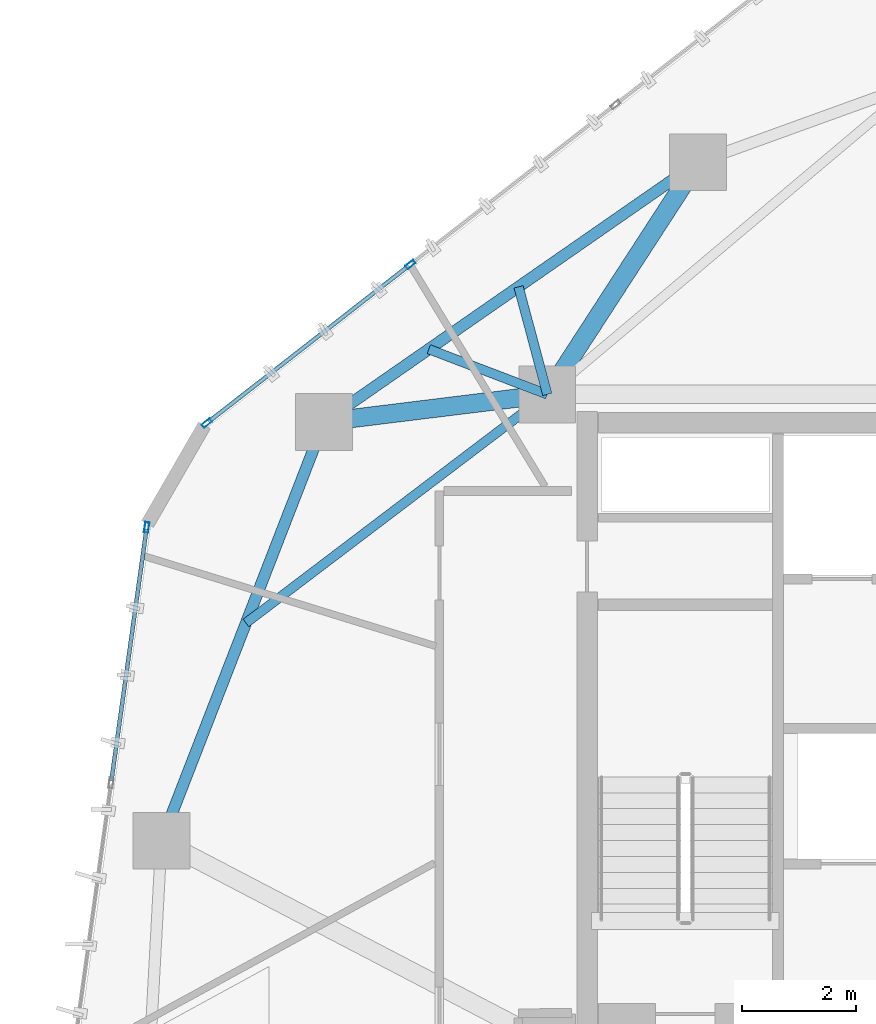
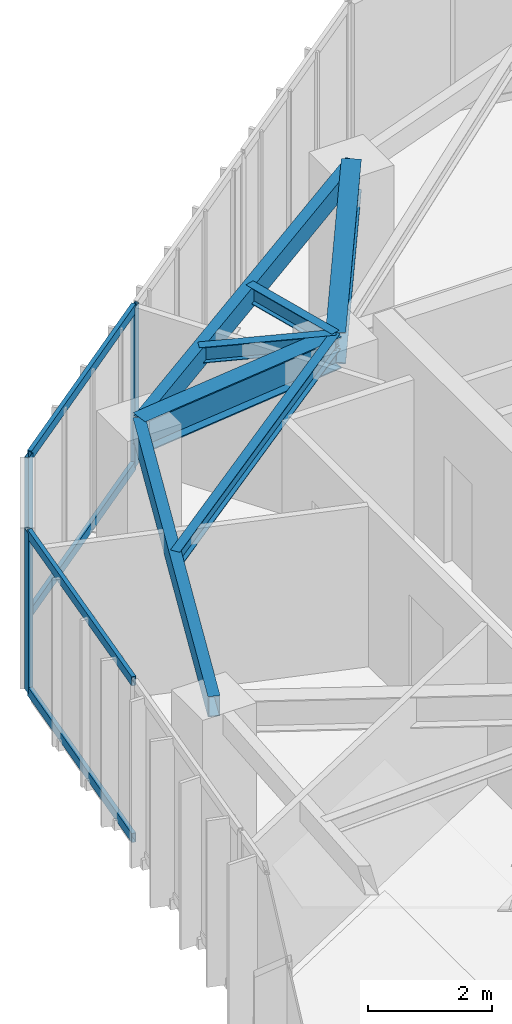
# One storey, part 9 of 21: 7 beams, 7 members, 2 elements without a shape of their own.
"""IFC4 building model written with IfcOpenShell, lengths in metres."""

from ifc_helpers import new_model, si_unit, direction, frame, origin, origin_2d, place, context, subcontext, project, spatial, hollow_rectangle, i_section, extrude, source, transform, mapped, material, layer, layer_set, material_profile, profile_set, type_object, type_shapes, element, aggregate, save


model = new_model("IFC4")

# Units and contexts
model_context = context("Model", 3, precision=1e-05, world=origin(), true_north=direction((0.0, 1.0)))
body_context = subcontext(model_context, "Body", "Model", "MODEL_VIEW")
ifc_project = project(units=[si_unit("LENGTHUNIT", "METRE"), si_unit("AREAUNIT", "SQUARE_METRE"), si_unit("VOLUMEUNIT", "CUBIC_METRE"), si_unit("PLANEANGLEUNIT", "RADIAN"), si_unit("MASSUNIT", "GRAM", prefix="KILO")], contexts=[model_context])

# Site, building, storey
site_placement = place(None, origin())
site = spatial("IfcSite", under=ifc_project, at=site_placement, CompositionType="ELEMENT")
building_placement = place(site_placement, origin())
building = spatial("IfcBuilding", under=site, at=building_placement, Name="Talar Marvaseh", CompositionType="ELEMENT")
storey_placement = place(building_placement, frame((0.0, 0.0, 232.699951171875)))
storey = spatial("IfcBuildingStorey", under=building, at=storey_placement, Name="L61", CompositionType="ELEMENT", Elevation=232.699951171875)

# Beams
ifc_material_1 = material(Name="Steel S355", Category="steel")
ifc_material_profile_1 = material_profile(ifc_material_1, hollow_rectangle(XDim=0.199951171875, YDim=0.39990234375, WallThickness=0.013916015625, at=origin_2d()), Name="RHS400x200x14")
ifc_profile_set_1 = profile_set([ifc_material_profile_1], Name="Steel S355")
beam_type_1 = type_object("IfcBeamType", Name="Zone 3 Perimeter Spandrel Beam RHS400x200x14", PredefinedType="SPANDREL", material=ifc_profile_set_1)
beam_1_placement = place(storey_placement, frame((11.908935546875, 29.044921875, 2.949951171875), z_axis=(0.362169134611, 0.932112395548, 0.0), x_axis=(-0.932112395548, 0.362169134611, 0.0)))
element("IfcBeam", 1, at=beam_1_placement, inside=storey, type_object=beam_type_1, Name="L61 Zone 3 Perimeter Spandrel Beam RHS400x200x14", PredefinedType="SPANDREL", context=body_context, shape_type="SweptSolid", body=[
    extrude(hollow_rectangle(XDim=0.199951171875, YDim=0.39990234375, WallThickness=0.013916015625, at=origin_2d()), origin(), (0.0, 0.0, 1.0), 7.907958984375),
])
beam_2_placement = place(storey_placement, frame((14.77294921875, 36.416015625, 2.949951171875), z_axis=(0.821296978901, 0.570500896098, 0.0), x_axis=(-0.570500896098, 0.821296978901, 0.0)))
element("IfcBeam", 2, at=beam_2_placement, inside=storey, type_object=beam_type_1, Name="L61 Zone 3 Perimeter Spandrel Beam RHS400x200x14", PredefinedType="SPANDREL", context=body_context, shape_type="SweptSolid", body=[
    extrude(hollow_rectangle(XDim=0.199951171875, YDim=0.39990234375, WallThickness=0.013916015625, at=origin_2d()), origin(), (0.0, 0.0, 1.0), 8.0107421875),
])
ifc_material_profile_2 = material_profile(ifc_material_1, i_section(OverallWidth=0.324951171875, OverallDepth=0.615966796875, WebThickness=0.013916015625, FlangeThickness=0.021484375, at=origin_2d()), Name="W610x174")
ifc_profile_set_2 = profile_set([ifc_material_profile_2], Name="Steel S355")
beam_type_2 = type_object("IfcBeamType", Name="Zone 3 Radial Floor Girder W610x174", PredefinedType="BEAM", material=ifc_profile_set_2)
beam_3_placement = place(storey_placement, frame((14.77294921875, 36.416015625, 2.842041015625), z_axis=(0.99249373738, 0.122295467049, 0.0), x_axis=(-0.122295467049, 0.99249373738, 0.0)))
element("IfcBeam", 3, at=beam_3_placement, inside=storey, type_object=beam_type_2, Name="L61 Zone 3 Radial Floor Girder W610x174", PredefinedType="BEAM", context=body_context, shape_type="SweptSolid", body=[
    extrude(i_section(OverallWidth=0.324951171875, OverallDepth=0.615966796875, WebThickness=0.013916015625, FlangeThickness=0.021484375, at=origin_2d()), origin(), (0.0, 0.0, 1.0), 3.956787109375),
])
beam_4_placement = place(storey_placement, frame((21.35205078125, 40.986083984375, 2.842041015625), z_axis=(-0.544422757063, -0.838810980849, 0.0), x_axis=(0.838810980849, -0.544422757063, 0.0)))
element("IfcBeam", 4, at=beam_4_placement, inside=storey, type_object=beam_type_2, Name="L61 Zone 3 Radial Floor Girder W610x174", PredefinedType="BEAM", context=body_context, shape_type="SweptSolid", body=[
    extrude(i_section(OverallWidth=0.324951171875, OverallDepth=0.615966796875, WebThickness=0.013916015625, FlangeThickness=0.021484375, at=origin_2d()), origin(), (0.0, 0.0, 1.0), 4.871337890625),
])
ifc_material_profile_3 = material_profile(ifc_material_1, i_section(OverallWidth=0.166015625, OverallDepth=0.31298828125, WebThickness=0.006591796875, FlangeThickness=0.01123046875, at=origin_2d()), Name="W310x45")
ifc_profile_set_3 = profile_set([ifc_material_profile_3], Name="Steel S355")
beam_type_3 = type_object("IfcBeamType", Name="Zone 3 Secondary Floor Joist W310x45", PredefinedType="JOIST", material=ifc_profile_set_3)
beam_5_placement = place(storey_placement, frame((13.398193359375, 32.8779296875, 2.99365234375), z_axis=(0.796694925744, 0.604381663598, 0.0), x_axis=(-0.604381663598, 0.796694925744, 0.0)))
element("IfcBeam", 5, at=beam_5_placement, inside=storey, type_object=beam_type_3, Name="L61 Zone 3 Secondary Floor Joist W310x45", PredefinedType="JOIST", context=body_context, shape_type="SweptSolid", body=[
    extrude(i_section(OverallWidth=0.166015625, OverallDepth=0.31298828125, WebThickness=0.006591796875, FlangeThickness=0.01123046875, at=origin_2d()), origin(), (0.0, 0.0, 1.0), 6.65478515625),
])
beam_6_placement = place(storey_placement, frame((16.614990234375, 37.695556640625, 2.99365234375), z_axis=(0.934281341688, -0.356536638473, 0.0), x_axis=(0.356536638473, 0.934281341688, 0.0)))
element("IfcBeam", 6, at=beam_6_placement, inside=storey, type_object=beam_type_3, Name="L61 Zone 3 Secondary Floor Joist W310x45", PredefinedType="JOIST", context=body_context, shape_type="SweptSolid", body=[
    extrude(i_section(OverallWidth=0.166015625, OverallDepth=0.31298828125, WebThickness=0.006591796875, FlangeThickness=0.01123046875, at=origin_2d()), origin(), (0.0, 0.0, 1.0), 2.231689453125),
])
beam_7_placement = place(storey_placement, frame((18.194091796875, 38.79248046875, 2.99365234375), z_axis=(0.258221088864, -0.966085849842, 0.0), x_axis=(0.966085849842, 0.258221088864, 0.0)))
element("IfcBeam", 7, at=beam_7_placement, inside=storey, type_object=beam_type_3, Name="L61 Zone 3 Secondary Floor Joist W310x45", PredefinedType="JOIST", context=body_context, shape_type="SweptSolid", body=[
    extrude(i_section(OverallWidth=0.166015625, OverallDepth=0.31298828125, WebThickness=0.006591796875, FlangeThickness=0.01123046875, at=origin_2d()), origin(), (0.0, 0.0, 1.0), 1.958984375),
])

# Curtain wall, members
ifc_material_2 = material(Name="Architectural Aluminium", Category="aluminium")
ifc_layer = layer(ifc_material_2, 0.18994140625)
ifc_layer_set = layer_set([ifc_layer], Name="Architectural Aluminium")
curtain_wall_type = type_object("IfcCurtainWallType", Name="Unitised Solar Atelier Curtain Wall Z3", PredefinedType="NOTDEFINED", material=ifc_layer_set)
curtain_wall_1_placement = place(storey_placement, origin())
curtain_wall_1 = element("IfcCurtainWall", 8, at=curtain_wall_1_placement, inside=storey, type_object=curtain_wall_type, Name="L61 Unitised Solar Atelier Curtain Wall Z3", PredefinedType="NOTDEFINED")
ifc_material_profile_4 = material_profile(ifc_material_2, hollow_rectangle(XDim=0.074951171875, YDim=0.179931640625, WallThickness=0.0048828125, at=origin_2d()), Name="RHS180x75x5")
ifc_profile_set_4 = profile_set([ifc_material_profile_4], Name="Architectural Aluminium")
member_type_1 = type_object("IfcMemberType", Name="Unitised Curtain Wall Transom RHS180x75x5", PredefinedType="USERDEFINED", material=ifc_profile_set_4)
shared_shape_1 = source(origin(), body_context, "Body", "SweptSolid", [
    extrude(hollow_rectangle(XDim=0.074951171875, YDim=0.179931640625, WallThickness=0.0048828125, at=origin_2d()), origin(), (0.0, 0.0, 1.0), 4.464599609375),
])
member_1_placement = place(storey_placement, frame((11.030517578125, 30.102294921875, 0.03759765625), z_axis=(0.137967747898, 0.990436722128, 0.0), x_axis=(-0.990436722128, 0.137967747898, 0.0)))
member_1 = element("IfcMember", 9, at=member_1_placement, type_object=member_type_1, Name="CW-Z3 transom 3.1", ObjectType="TRANSOM", PredefinedType="USERDEFINED", context=body_context, shape_type="MappedRepresentation", body=[
    mapped(shared_shape_1, transform((0.0, 0.0, 0.0), x_axis=(1.0, 0.0, 0.0), y_axis=(0.0, 1.0, 0.0), z_axis=(0.0, 0.0, 1.0), scale=1.0)),
])
member_2_placement = place(storey_placement, frame((11.030517578125, 30.102294921875, 3.112548828125), z_axis=(0.137967747898, 0.990436722128, 0.0), x_axis=(-0.990436722128, 0.137967747898, 0.0)))
member_2 = element("IfcMember", 10, at=member_2_placement, type_object=member_type_1, Name="CW-Z3 transom 3.2", ObjectType="TRANSOM", PredefinedType="USERDEFINED", context=body_context, shape_type="MappedRepresentation", body=[
    mapped(shared_shape_1, transform((0.0, 0.0, 0.0), x_axis=(1.0, 0.0, 0.0), y_axis=(0.0, 1.0, 0.0), z_axis=(0.0, 0.0, 1.0), scale=1.0)),
])

curtain_wall_2_placement = place(storey_placement, origin())
curtain_wall_2 = element("IfcCurtainWall", 11, at=curtain_wall_2_placement, inside=storey, type_object=curtain_wall_type, Name="L61 Unitised Solar Atelier Curtain Wall Z3", PredefinedType="NOTDEFINED")
shared_shape_2 = source(origin(), body_context, "Body", "SweptSolid", [
    extrude(hollow_rectangle(XDim=0.074951171875, YDim=0.179931640625, WallThickness=0.0048828125, at=origin_2d()), origin(), (0.0, 0.0, 1.0), 4.46484375),
])
type_shapes(member_type_1, [shared_shape_1, shared_shape_2])
member_3_placement = place(storey_placement, frame((12.740234375, 36.418212890625, 0.03759765625), z_axis=(0.788733489557, 0.61473529462, 0.0), x_axis=(-0.61473529462, 0.788733489557, 0.0)))
member_3 = element("IfcMember", 12, at=member_3_placement, type_object=member_type_1, Name="CW-Z3 transom 1.1", ObjectType="TRANSOM", PredefinedType="USERDEFINED", context=body_context, shape_type="MappedRepresentation", body=[
    mapped(shared_shape_2, transform((0.0, 0.0, 0.0), x_axis=(1.0, 0.0, 0.0), y_axis=(0.0, 1.0, 0.0), z_axis=(0.0, 0.0, 1.0), scale=1.0)),
])
member_4_placement = place(storey_placement, frame((12.740234375, 36.418212890625, 3.112548828125), z_axis=(0.788733489557, 0.61473529462, 0.0), x_axis=(-0.61473529462, 0.788733489557, 0.0)))
member_4 = element("IfcMember", 13, at=member_4_placement, type_object=member_type_1, Name="CW-Z3 transom 1.2", ObjectType="TRANSOM", PredefinedType="USERDEFINED", context=body_context, shape_type="MappedRepresentation", body=[
    mapped(shared_shape_2, transform((0.0, 0.0, 0.0), x_axis=(1.0, 0.0, 0.0), y_axis=(0.0, 1.0, 0.0), z_axis=(0.0, 0.0, 1.0), scale=1.0)),
])

# Member
ifc_material_profile_5 = material_profile(ifc_material_2, hollow_rectangle(XDim=0.074951171875, YDim=0.179931640625, WallThickness=0.0048828125, at=origin_2d()), Name="RHS180x75x5")
ifc_profile_set_5 = profile_set([ifc_material_profile_5], Name="Architectural Aluminium")
member_type_2 = type_object("IfcMemberType", Name="Unitised Curtain Wall Standard Mullion RHS180x75x5", PredefinedType="MULLION", material=ifc_profile_set_5)
shared_shape_3 = source(origin(), body_context, "Body", "SweptSolid", [
    extrude(hollow_rectangle(XDim=0.074951171875, YDim=0.179931640625, WallThickness=0.0048828125, at=origin_2d()), origin(), (0.0, 0.0, 1.0), 3.150146484375),
])
type_shapes(member_type_2, [shared_shape_3])
member_5_placement = place(storey_placement, frame((11.651611328125, 34.561279296875, 0.0), z_axis=(0.0, 0.0, 1.0), x_axis=(-0.990433084786, 0.137993856972, 0.0)))
member_5 = element("IfcMember", 14, at=member_5_placement, type_object=member_type_2, Name="CW-Z3 mullion 4", PredefinedType="MULLION", context=body_context, shape_type="MappedRepresentation", body=[
    mapped(shared_shape_3, transform((0.0, 0.0, 0.0), x_axis=(1.0, 0.0, 0.0), y_axis=(0.0, 1.0, 0.0), z_axis=(0.0, 0.0, 1.0), scale=1.0)),
])

aggregate(curtain_wall_1, [member_5, member_1, member_2])

member_6_placement = place(storey_placement, frame((12.710693359375, 36.395263671875, 0.0), z_axis=(0.0, 0.0, 1.0), x_axis=(-0.614730840218, 0.788736961277, 0.0)))
member_6 = element("IfcMember", 15, at=member_6_placement, type_object=member_type_2, Name="CW-Z3 mullion 1", PredefinedType="MULLION", context=body_context, shape_type="MappedRepresentation", body=[
    mapped(shared_shape_3, transform((0.0, 0.0, 0.0), x_axis=(1.0, 0.0, 0.0), y_axis=(0.0, 1.0, 0.0), z_axis=(0.0, 0.0, 1.0), scale=1.0)),
])

member_7_placement = place(storey_placement, frame((16.291259765625, 39.18603515625, 0.0), z_axis=(0.0, 0.0, 1.0), x_axis=(-0.614730840218, 0.788736961277, 0.0)))
member_7 = element("IfcMember", 16, at=member_7_placement, type_object=member_type_2, Name="CW-Z3 mullion 2", PredefinedType="MULLION", context=body_context, shape_type="MappedRepresentation", body=[
    mapped(shared_shape_3, transform((0.0, 0.0, 0.0), x_axis=(1.0, 0.0, 0.0), y_axis=(0.0, 1.0, 0.0), z_axis=(0.0, 0.0, 1.0), scale=1.0)),
])

aggregate(curtain_wall_2, [member_6, member_7, member_3, member_4])

save(model, "model.ifc")
